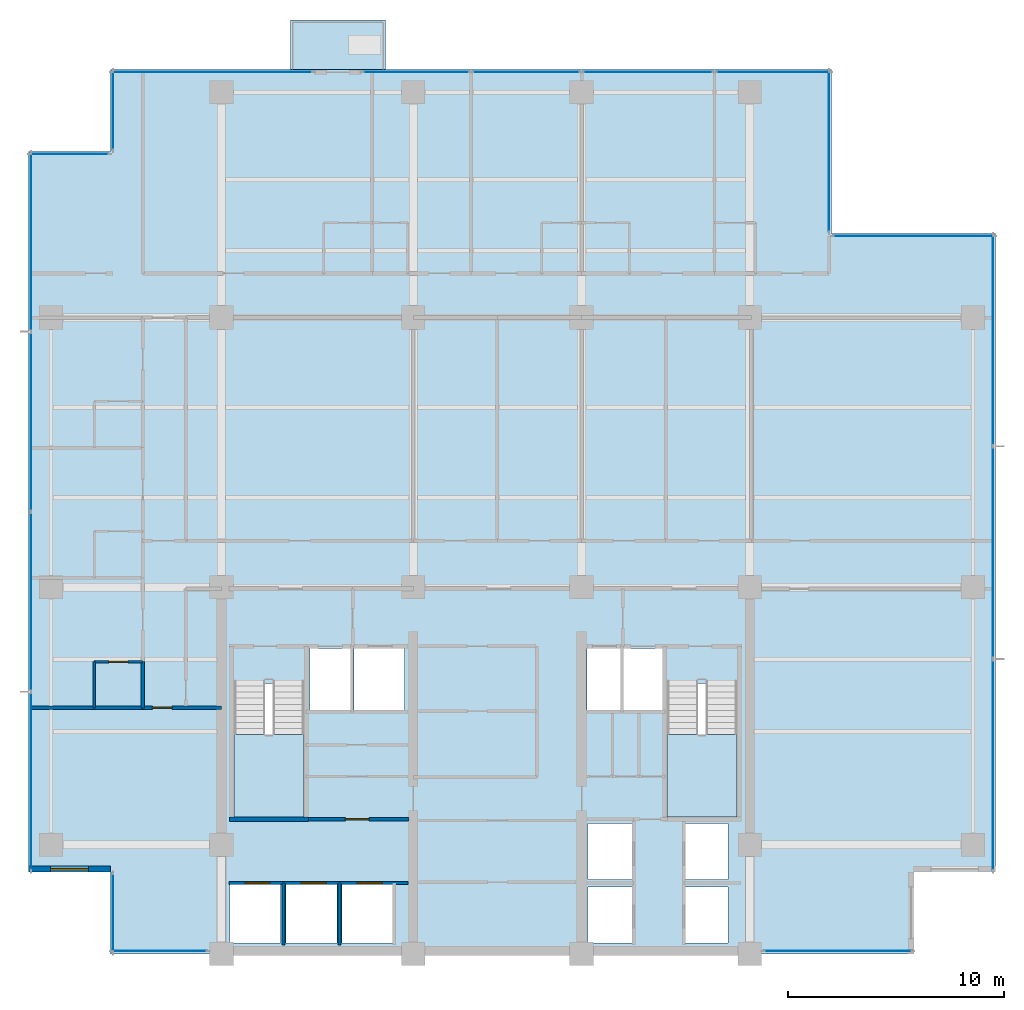
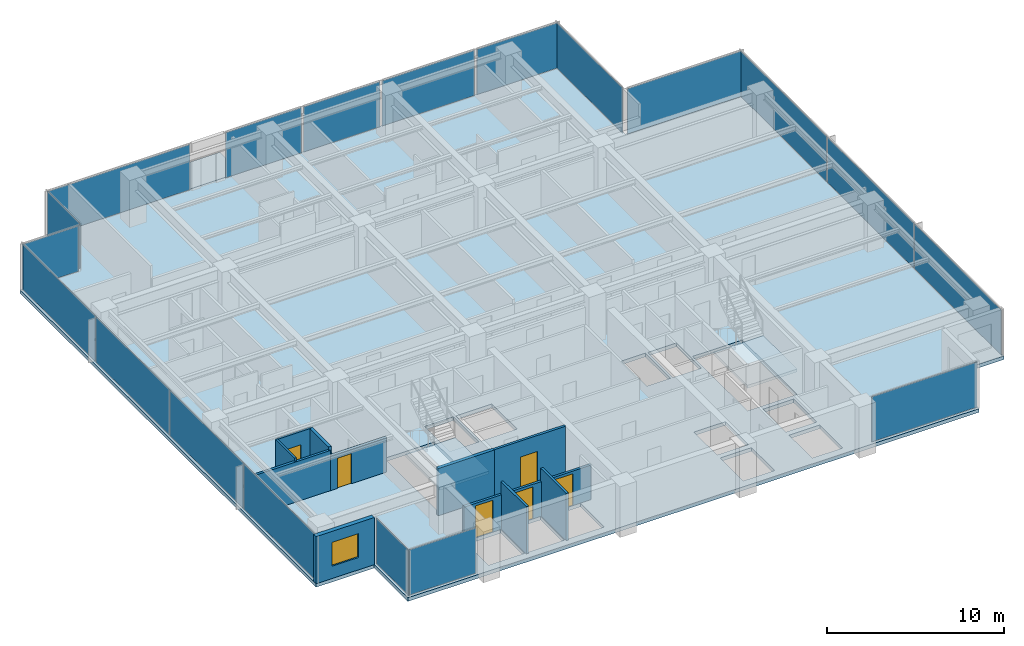
# One storey, part 6 of 14: 19 plates, 11 walls, 6 doors, 4 slabs, 1 window, 7 openings, 16 elements without a shape of their own.
"""IFC4 building model written with IfcOpenShell, lengths in metres."""

from ifc_helpers import new_model, si_unit, direction, frame, frame_2d, origin, origin_2d, place, context, subcontext, project, spatial, polyline, rectangle, outline, extrude, material, layer, layer_set, type_object, element, fill, aggregate, save


model = new_model("IFC4")

# Units and contexts
model_context = context("Model", 3, precision=1e-05, world=origin(), true_north=direction((0.0, 1.0)))
body_context = subcontext(model_context, "Body", "Model", "MODEL_VIEW")
ifc_project = project(units=[si_unit("LENGTHUNIT", "METRE"), si_unit("AREAUNIT", "SQUARE_METRE"), si_unit("VOLUMEUNIT", "CUBIC_METRE"), si_unit("PLANEANGLEUNIT", "RADIAN"), si_unit("MASSUNIT", "GRAM", prefix="KILO")], contexts=[model_context])

# Site, building, storey
site_placement = place(None, origin())
site = spatial("IfcSite", under=ifc_project, at=site_placement, CompositionType="ELEMENT")
building_placement = place(site_placement, origin())
building = spatial("IfcBuilding", under=site, at=building_placement, Name="Qalmaran Belvedere Hotel", CompositionType="ELEMENT")
storey_placement = place(building_placement, frame((0.0, 0.0, 152.60009765625)))
storey = spatial("IfcBuildingStorey", under=building, at=storey_placement, Name="L38", CompositionType="ELEMENT", Elevation=152.60009765625)

# Curtain wall, plate
ifc_material_1 = material(Name="Anodised Bronze Aluminium", Category="aluminium")
ifc_layer_1 = layer(ifc_material_1, 0.195068359375, Name="Anodised Bronze Aluminium")
ifc_layer_set_1 = layer_set([ifc_layer_1], Name="Anodised Bronze Aluminium")
curtain_wall_type = type_object("IfcCurtainWallType", Name="CW4-TOWER-HIGHMID", PredefinedType="NOTDEFINED", material=ifc_layer_set_1)
curtain_wall_1_placement = place(storey_placement, origin())
curtain_wall_1 = element("IfcCurtainWall", 1, at=curtain_wall_1_placement, inside=storey, type_object=curtain_wall_type, Name="L38 Curtain Wall CW4", PredefinedType="NOTDEFINED")
ifc_material_2 = material(Name="Solar-Control Double Glazing", Category="glass")
ifc_layer_2 = layer(ifc_material_2, 0.028076171875, Name="Solar-Control Double Glazing")
ifc_layer_set_2 = layer_set([ifc_layer_2], Name="Solar-Control Double Glazing")
plate_type = type_object("IfcPlateType", Name="CWP-VISION-28", PredefinedType="CURTAIN_PANEL", material=ifc_layer_set_2)
plate_1_placement = place(storey_placement, frame((17.429931640625, 3.6201171875, 0.06494140625), z_axis=(0.0, 0.0, 1.0), x_axis=(1.0, 0.0, 0.0)))
plate_1 = element("IfcPlate", 2, at=plate_1_placement, type_object=plate_type, Name="CW4 panel 1.1", PredefinedType="CURTAIN_PANEL", context=body_context, shape_type="SweptSolid", body=[
    extrude(rectangle(XDim=4.419921875, YDim=0.028076171875, at=origin_2d()), origin(), (0.0, 0.0, 1.0), 3.1201171875),
])
aggregate(curtain_wall_1, [plate_1])

curtain_wall_2_placement = place(storey_placement, origin())
curtain_wall_2 = element("IfcCurtainWall", 3, at=curtain_wall_2_placement, inside=storey, type_object=curtain_wall_type, Name="L38 Curtain Wall CW4", PredefinedType="NOTDEFINED")
plate_2_placement = place(storey_placement, frame((48.89501953125, 3.6201171875, 0.06494140625), z_axis=(0.0, 0.0, 1.0), x_axis=(1.0, 0.0, 0.0)))
plate_2 = element("IfcPlate", 4, at=plate_2_placement, type_object=plate_type, Name="CW4 panel 1.1", PredefinedType="CURTAIN_PANEL", context=body_context, shape_type="SweptSolid", body=[
    extrude(rectangle(XDim=6.8701171875, YDim=0.028076171875, at=origin_2d()), origin(), (0.0, 0.0, 1.0), 3.1201171875),
])
aggregate(curtain_wall_2, [plate_2])

# Curtain wall, plates
curtain_wall_3_placement = place(storey_placement, origin())
curtain_wall_3 = element("IfcCurtainWall", 5, at=curtain_wall_3_placement, inside=storey, type_object=curtain_wall_type, Name="L38 Curtain Wall CW4", PredefinedType="NOTDEFINED")
plate_3_placement = place(storey_placement, frame((56.080078125, 12.250732421875, 0.06494140625), z_axis=(0.0, 0.0, 1.0), x_axis=(0.0, 1.0, 0.0)))
plate_3 = element("IfcPlate", 6, at=plate_3_placement, type_object=plate_type, Name="CW4 panel 1.1", PredefinedType="CURTAIN_PANEL", context=body_context, shape_type="SweptSolid", body=[
    extrude(rectangle(XDim=9.76171875, YDim=0.028076171875, at=origin_2d()), origin(), (0.0, 0.0, 1.0), 3.1201171875),
])
plate_4_placement = place(storey_placement, frame((56.080078125, 22.10009765625, 0.06494140625), z_axis=(0.0, 0.0, 1.0), x_axis=(0.0, 1.0, 0.0)))
plate_4 = element("IfcPlate", 7, at=plate_4_placement, type_object=plate_type, Name="CW4 panel 2.1", PredefinedType="CURTAIN_PANEL", context=body_context, shape_type="SweptSolid", body=[
    extrude(rectangle(XDim=9.796630859375, YDim=0.028076171875, at=origin_2d()), origin(), (0.0, 0.0, 1.0), 3.1201171875),
])
plate_5_placement = place(storey_placement, frame((56.080078125, 31.94921875, 0.06494140625), z_axis=(0.0, 0.0, 1.0), x_axis=(0.0, 1.0, 0.0)))
plate_5 = element("IfcPlate", 8, at=plate_5_placement, type_object=plate_type, Name="CW4 panel 3.1", PredefinedType="CURTAIN_PANEL", context=body_context, shape_type="SweptSolid", body=[
    extrude(rectangle(XDim=9.76171875, YDim=0.028076171875, at=origin_2d()), origin(), (0.0, 0.0, 1.0), 3.1201171875),
])
aggregate(curtain_wall_3, [plate_3, plate_4, plate_5])

# Curtain wall, plate
curtain_wall_4_placement = place(storey_placement, origin())
curtain_wall_4 = element("IfcCurtainWall", 9, at=curtain_wall_4_placement, inside=storey, type_object=curtain_wall_type, Name="L38 Curtain Wall CW4", PredefinedType="NOTDEFINED")
plate_6_placement = place(storey_placement, frame((52.39990234375, 36.780029296875, 0.06494140625), z_axis=(0.0, 0.0, 1.0), x_axis=(-1.0, 0.0, 0.0)))
plate_6 = element("IfcPlate", 10, at=plate_6_placement, type_object=plate_type, Name="CW4 panel 1.1", PredefinedType="CURTAIN_PANEL", context=body_context, shape_type="SweptSolid", body=[
    extrude(rectangle(XDim=7.4599609375, YDim=0.028076171875, at=origin_2d()), origin(), (0.0, 0.0, 1.0), 3.1201171875),
])
aggregate(curtain_wall_4, [plate_6])

curtain_wall_5_placement = place(storey_placement, origin())
curtain_wall_5 = element("IfcCurtainWall", 11, at=curtain_wall_5_placement, inside=storey, type_object=curtain_wall_type, Name="L38 Curtain Wall CW4", PredefinedType="NOTDEFINED")
plate_7_placement = place(storey_placement, frame((48.47998046875, 40.699951171875, 0.06494140625), z_axis=(0.0, 0.0, 1.0), x_axis=(0.0, 1.0, 0.0)))
plate_7 = element("IfcPlate", 12, at=plate_7_placement, type_object=plate_type, Name="CW4 panel 1.1", PredefinedType="CURTAIN_PANEL", context=body_context, shape_type="SweptSolid", body=[
    extrude(rectangle(XDim=7.4599609375, YDim=0.028076171875, at=origin_2d()), origin(), (0.0, 0.0, 1.0), 3.1201171875),
])
aggregate(curtain_wall_5, [plate_7])

curtain_wall_6_placement = place(storey_placement, origin())
curtain_wall_6 = element("IfcCurtainWall", 13, at=curtain_wall_6_placement, inside=storey, type_object=curtain_wall_type, Name="L38 Curtain Wall CW4", PredefinedType="NOTDEFINED")
plate_8_placement = place(storey_placement, frame((19.875, 44.3798828125, 0.06494140625), z_axis=(0.0, 0.0, 1.0), x_axis=(-1.0, 0.0, 0.0)))
plate_8 = element("IfcPlate", 14, at=plate_8_placement, type_object=plate_type, Name="CW4 panel 1.1", PredefinedType="CURTAIN_PANEL", context=body_context, shape_type="SweptSolid", body=[
    extrude(rectangle(XDim=9.31005859375, YDim=0.028076171875, at=origin_2d()), origin(), (0.0, 0.0, 1.0), 3.1201171875),
])
aggregate(curtain_wall_6, [plate_8])

curtain_wall_7_placement = place(storey_placement, origin())
curtain_wall_7 = element("IfcCurtainWall", 15, at=curtain_wall_7_placement, inside=storey, type_object=curtain_wall_type, Name="L38 Curtain Wall CW4", PredefinedType="NOTDEFINED")
plate_9_placement = place(storey_placement, frame((45.88330078125, 44.3798828125, 0.06494140625), z_axis=(0.0, 0.0, 1.0), x_axis=(-1.0, 0.0, 0.0)))
plate_9 = element("IfcPlate", 16, at=plate_9_placement, type_object=plate_type, Name="CW4 panel 1.1", PredefinedType="CURTAIN_PANEL", context=body_context, shape_type="SweptSolid", body=[
    extrude(rectangle(XDim=5.293701171875, YDim=0.028076171875, at=origin_2d()), origin(), (0.0, 0.0, 1.0), 3.1201171875),
])
aggregate(curtain_wall_7, [plate_9])

curtain_wall_8_placement = place(storey_placement, origin())
curtain_wall_8 = element("IfcCurtainWall", 17, at=curtain_wall_8_placement, inside=storey, type_object=curtain_wall_type, Name="L38 Curtain Wall CW4", PredefinedType="NOTDEFINED")
plate_10_placement = place(storey_placement, frame((40.083251953125, 44.3798828125, 0.06494140625), z_axis=(0.0, 0.0, 1.0), x_axis=(-1.0, 0.0, 0.0)))
plate_10 = element("IfcPlate", 18, at=plate_10_placement, type_object=plate_type, Name="CW4 panel 1.1", PredefinedType="CURTAIN_PANEL", context=body_context, shape_type="SweptSolid", body=[
    extrude(rectangle(XDim=6.0263671875, YDim=0.028076171875, at=origin_2d()), origin(), (0.0, 0.0, 1.0), 3.1201171875),
])
aggregate(curtain_wall_8, [plate_10])

curtain_wall_9_placement = place(storey_placement, origin())
curtain_wall_9 = element("IfcCurtainWall", 19, at=curtain_wall_9_placement, inside=storey, type_object=curtain_wall_type, Name="L38 Curtain Wall CW4", PredefinedType="NOTDEFINED")
plate_11_placement = place(storey_placement, frame((34.4375, 44.3798828125, 0.06494140625), z_axis=(0.0, 0.0, 1.0), x_axis=(-1.0, 0.0, 0.0)))
plate_11 = element("IfcPlate", 20, at=plate_11_placement, type_object=plate_type, Name="CW4 panel 1.1", PredefinedType="CURTAIN_PANEL", context=body_context, shape_type="SweptSolid", body=[
    extrude(rectangle(XDim=4.985107421875, YDim=0.028076171875, at=origin_2d()), origin(), (0.0, 0.0, 1.0), 3.1201171875),
])
aggregate(curtain_wall_9, [plate_11])

curtain_wall_10_placement = place(storey_placement, origin())
curtain_wall_10 = element("IfcCurtainWall", 21, at=curtain_wall_10_placement, inside=storey, type_object=curtain_wall_type, Name="L38 Curtain Wall CW4", PredefinedType="NOTDEFINED")
plate_12_placement = place(storey_placement, frame((29.33740234375, 44.3798828125, 0.06494140625), z_axis=(0.0, 0.0, 1.0), x_axis=(-1.0, 0.0, 0.0)))
plate_12 = element("IfcPlate", 22, at=plate_12_placement, type_object=plate_type, Name="CW4 panel 1.1", PredefinedType="CURTAIN_PANEL", context=body_context, shape_type="SweptSolid", body=[
    extrude(rectangle(XDim=4.93505859375, YDim=0.028076171875, at=origin_2d()), origin(), (0.0, 0.0, 1.0), 3.1201171875),
])
aggregate(curtain_wall_10, [plate_12])

curtain_wall_11_placement = place(storey_placement, origin())
curtain_wall_11 = element("IfcCurtainWall", 23, at=curtain_wall_11_placement, inside=storey, type_object=curtain_wall_type, Name="L38 Curtain Wall CW4", PredefinedType="NOTDEFINED")
plate_13_placement = place(storey_placement, frame((15.27001953125, 42.60009765625, 0.06494140625), z_axis=(0.0, 0.0, 1.0), x_axis=(0.0, -1.0, 0.0)))
plate_13 = element("IfcPlate", 24, at=plate_13_placement, type_object=plate_type, Name="CW4 panel 1.1", PredefinedType="CURTAIN_PANEL", context=body_context, shape_type="SweptSolid", body=[
    extrude(rectangle(XDim=3.659912109375, YDim=0.028076171875, at=origin_2d()), origin(), (0.0, 0.0, 1.0), 3.1201171875),
])
aggregate(curtain_wall_11, [plate_13])

curtain_wall_12_placement = place(storey_placement, origin())
curtain_wall_12 = element("IfcCurtainWall", 25, at=curtain_wall_12_placement, inside=storey, type_object=curtain_wall_type, Name="L38 Curtain Wall CW4", PredefinedType="NOTDEFINED")
plate_14_placement = place(storey_placement, frame((13.25, 40.580078125, 0.06494140625), z_axis=(0.0, 0.0, 1.0), x_axis=(-1.0, 0.0, 0.0)))
plate_14 = element("IfcPlate", 26, at=plate_14_placement, type_object=plate_type, Name="CW4 panel 1.1", PredefinedType="CURTAIN_PANEL", context=body_context, shape_type="SweptSolid", body=[
    extrude(rectangle(XDim=3.659912109375, YDim=0.028076171875, at=origin_2d()), origin(), (0.0, 0.0, 1.0), 3.1201171875),
])
aggregate(curtain_wall_12, [plate_14])

# Curtain wall, plates
curtain_wall_13_placement = place(storey_placement, origin())
curtain_wall_13 = element("IfcCurtainWall", 27, at=curtain_wall_13_placement, inside=storey, type_object=curtain_wall_type, Name="L38 Curtain Wall CW4", PredefinedType="NOTDEFINED")
plate_15_placement = place(storey_placement, frame((11.469970703125, 36.507568359375, 0.06494140625), z_axis=(0.0, 0.0, 1.0), x_axis=(0.0, -1.0, 0.0)))
plate_15 = element("IfcPlate", 28, at=plate_15_placement, type_object=plate_type, Name="CW4 panel 1.1", PredefinedType="CURTAIN_PANEL", context=body_context, shape_type="SweptSolid", body=[
    extrude(rectangle(XDim=8.2451171875, YDim=0.028076171875, at=origin_2d()), origin(), (0.0, 0.0, 1.0), 3.1201171875),
])
plate_16_placement = place(storey_placement, frame((11.469970703125, 28.175048828125, 0.06494140625), z_axis=(0.0, 0.0, 1.0), x_axis=(0.0, -1.0, 0.0)))
plate_16 = element("IfcPlate", 29, at=plate_16_placement, type_object=plate_type, Name="CW4 panel 2.1", PredefinedType="CURTAIN_PANEL", context=body_context, shape_type="SweptSolid", body=[
    extrude(rectangle(XDim=8.280029296875, YDim=0.028076171875, at=origin_2d()), origin(), (0.0, 0.0, 1.0), 3.1201171875),
])
plate_17_placement = place(storey_placement, frame((11.469970703125, 19.824951171875, 0.06494140625), z_axis=(0.0, 0.0, 1.0), x_axis=(0.0, -1.0, 0.0)))
plate_17 = element("IfcPlate", 30, at=plate_17_placement, type_object=plate_type, Name="CW4 panel 3.1", PredefinedType="CURTAIN_PANEL", context=body_context, shape_type="SweptSolid", body=[
    extrude(rectangle(XDim=8.280029296875, YDim=0.028076171875, at=origin_2d()), origin(), (0.0, 0.0, 1.0), 3.1201171875),
])
plate_18_placement = place(storey_placement, frame((11.469970703125, 11.492431640625, 0.06494140625), z_axis=(0.0, 0.0, 1.0), x_axis=(0.0, -1.0, 0.0)))
plate_18 = element("IfcPlate", 31, at=plate_18_placement, type_object=plate_type, Name="CW4 panel 4.1", PredefinedType="CURTAIN_PANEL", context=body_context, shape_type="SweptSolid", body=[
    extrude(rectangle(XDim=8.2451171875, YDim=0.028076171875, at=origin_2d()), origin(), (0.0, 0.0, 1.0), 3.1201171875),
])
aggregate(curtain_wall_13, [plate_15, plate_16, plate_17, plate_18])

# Curtain wall, plate
curtain_wall_14_placement = place(storey_placement, origin())
curtain_wall_14 = element("IfcCurtainWall", 32, at=curtain_wall_14_placement, inside=storey, type_object=curtain_wall_type, Name="L38 Curtain Wall CW4", PredefinedType="NOTDEFINED")
plate_19_placement = place(storey_placement, frame((15.27001953125, 5.39990234375, 0.06494140625), z_axis=(0.0, 0.0, 1.0), x_axis=(0.0, -1.0, 0.0)))
plate_19 = element("IfcPlate", 33, at=plate_19_placement, type_object=plate_type, Name="CW4 panel 1.1", PredefinedType="CURTAIN_PANEL", context=body_context, shape_type="SweptSolid", body=[
    extrude(rectangle(XDim=3.659912109375, YDim=0.028076171875, at=origin_2d()), origin(), (0.0, 0.0, 1.0), 3.1201171875),
])
aggregate(curtain_wall_14, [plate_19])

# Slab
ifc_material_3 = material(Name="Concrete C40/50", Category="concrete")
ifc_layer_3 = layer(ifc_material_3, 0.219970703125, Name="Concrete C40/50")
ifc_layer_set_3 = layer_set([ifc_layer_3], Name="Concrete C40/50")
slab_type_1 = type_object("IfcSlabType", Name="SLB-BAL-220", PredefinedType="USERDEFINED", material=ifc_layer_set_3)
slab_1_placement = place(storey_placement, frame((0.0, 0.0, -0.22021484375)))
element("IfcSlab", 34, at=slab_1_placement, inside=storey, type_object=slab_type_1, Name="L38 Planted Tree Balcony Slab 1", ObjectType="BALCONY", PredefinedType="USERDEFINED", context=body_context, shape_type="SweptSolid", body=[
    extrude(outline(polyline([(23.5, 44.5), (27.89990234375, 44.5), (27.89990234375, 46.800048828125), (23.5, 46.800048828125), (23.5, 44.5)])), origin(), (0.0, 0.0, 1.0), 0.22021484375),
])

# Stair, slab
stair_type_1 = type_object("IfcStairType", Name="STR-ST-1-1450-R1750", PredefinedType="HALF_TURN_STAIR", material=ifc_material_3)
stair_1_placement = place(storey_placement, origin())
stair_1 = element("IfcStair", 35, at=stair_1_placement, inside=storey, type_object=stair_type_1, Name="L38 West Core Exit Stair ST-1", PredefinedType="HALF_TURN_STAIR")
ifc_layer_4 = layer(ifc_material_3, 0.199951171875, Name="Concrete C40/50")
ifc_layer_set_4 = layer_set([ifc_layer_4], Name="Concrete C40/50")
slab_type_2 = type_object("IfcSlabType", Name="SLB-STAIR-LANDING-200", PredefinedType="LANDING", material=ifc_layer_set_4)
slab_2_placement = place(storey_placement, frame((0.0, 0.0, 1.5498046875)))
slab_2 = element("IfcSlab", 36, at=slab_2_placement, type_object=slab_type_2, Name="ST-1 landing 1", PredefinedType="LANDING", context=body_context, shape_type="SweptSolid", body=[
    extrude(outline(polyline([(20.8798828125, 13.669921875), (20.8798828125, 9.85009765625), (24.1201171875, 9.85009765625), (24.1201171875, 13.669921875), (20.8798828125, 13.669921875)])), origin(), (0.0, 0.0, 1.0), 0.2001953125),
])
aggregate(stair_1, [slab_2])

stair_type_2 = type_object("IfcStairType", Name="STR-ST-2-1450-R1750", PredefinedType="HALF_TURN_STAIR", material=ifc_material_3)
stair_2_placement = place(storey_placement, origin())
stair_2 = element("IfcStair", 37, at=stair_2_placement, inside=storey, type_object=stair_type_2, Name="L38 East Core Exit Stair ST-2", PredefinedType="HALF_TURN_STAIR")
slab_3_placement = place(storey_placement, frame((0.0, 0.0, 1.5498046875)))
slab_3 = element("IfcSlab", 38, at=slab_3_placement, type_object=slab_type_2, Name="ST-2 landing 1", PredefinedType="LANDING", context=body_context, shape_type="SweptSolid", body=[
    extrude(outline(polyline([(40.9599609375, 13.669921875), (40.9599609375, 9.85009765625), (44.199951171875, 9.85009765625), (44.199951171875, 13.669921875), (40.9599609375, 13.669921875)])), origin(), (0.0, 0.0, 1.0), 0.2001953125),
])
aggregate(stair_2, [slab_3])

# Slab
ifc_layer_5 = layer(ifc_material_3, 0.25, Name="Concrete C40/50")
ifc_layer_set_5 = layer_set([ifc_layer_5], Name="Concrete C40/50")
slab_type_3 = type_object("IfcSlabType", Name="SLB-Z3-250", PredefinedType="FLOOR", material=ifc_layer_set_5)
slab_4_placement = place(storey_placement, frame((0.0, 0.0, -0.25)))
element("IfcSlab", 39, at=slab_4_placement, inside=storey, type_object=slab_type_3, Name="L38 Structural Floor Slab", PredefinedType="FLOOR", context=body_context, shape_type="SweptSolid", body=[
    extrude(outline(polyline([(15.14990234375, 3.5), (52.39990234375, 3.5), (52.39990234375, 7.300048828125), (56.199951171875, 7.300048828125), (56.199951171875, 36.89990234375), (48.60009765625, 36.89990234375), (48.60009765625, 44.5), (15.14990234375, 44.5), (15.14990234375, 40.699951171875), (11.35009765625, 40.699951171875), (11.35009765625, 7.300048828125), (15.14990234375, 7.300048828125), (15.14990234375, 3.5)]), holes=[polyline([(20.8798828125, 9.85009765625), (24.1201171875, 9.85009765625), (24.1201171875, 16.0400390625), (20.8798828125, 16.0400390625), (20.8798828125, 9.85009765625)]), polyline([(40.9599609375, 9.85009765625), (44.199951171875, 9.85009765625), (44.199951171875, 16.0400390625), (40.9599609375, 16.0400390625), (40.9599609375, 9.85009765625)]), polyline([(37.300048828125, 4.0), (39.35009765625, 4.0), (39.35009765625, 6.60009765625), (37.300048828125, 6.60009765625), (37.300048828125, 4.0)]), polyline([(37.300048828125, 6.949951171875), (39.35009765625, 6.949951171875), (39.35009765625, 9.550048828125), (37.300048828125, 9.550048828125), (37.300048828125, 6.949951171875)]), polyline([(41.800048828125, 4.0), (43.800048828125, 4.0), (43.800048828125, 6.60009765625), (41.800048828125, 6.60009765625), (41.800048828125, 4.0)]), polyline([(41.800048828125, 6.949951171875), (43.800048828125, 6.949951171875), (43.800048828125, 9.550048828125), (41.800048828125, 9.550048828125), (41.800048828125, 6.949951171875)]), polyline([(20.699951171875, 4.0), (23.050048828125, 4.0), (23.050048828125, 6.699951171875), (20.699951171875, 6.699951171875), (20.699951171875, 4.0)]), polyline([(23.300048828125, 4.0), (25.64990234375, 4.0), (25.64990234375, 6.699951171875), (23.300048828125, 6.699951171875), (23.300048828125, 4.0)]), polyline([(25.89990234375, 4.0), (28.25, 4.0), (28.25, 6.699951171875), (25.89990234375, 6.699951171875), (25.89990234375, 4.0)]), polyline([(24.39990234375, 14.800048828125), (26.300048828125, 14.800048828125), (26.300048828125, 17.64990234375), (24.39990234375, 17.64990234375), (24.39990234375, 14.800048828125)]), polyline([(38.949951171875, 14.800048828125), (40.820068359375, 14.800048828125), (40.820068359375, 17.64990234375), (38.949951171875, 17.64990234375), (38.949951171875, 14.800048828125)]), polyline([(26.449951171875, 14.800048828125), (28.800048828125, 14.800048828125), (28.800048828125, 17.64990234375), (26.449951171875, 17.64990234375), (26.449951171875, 14.800048828125)]), polyline([(37.25, 14.800048828125), (38.800048828125, 14.800048828125), (38.800048828125, 17.64990234375), (37.25, 17.64990234375), (37.25, 14.800048828125)])]), origin(), (0.0, 0.0, 1.0), 0.25),
])

# Wall, opening, window
ifc_material_4 = material(Name="Anodised Bronze Cladding")
ifc_layer_6 = layer(ifc_material_4, 0.280029296875, Name="Anodised Bronze Cladding")
ifc_layer_set_6 = layer_set([ifc_layer_6], Name="Anodised Bronze Cladding")
wall_type_1 = type_object("IfcWallType", Name="WL-EXT-BRNZ-280", PredefinedType="SOLIDWALL", material=ifc_layer_set_6)
wall_1_placement = place(storey_placement, frame((11.35009765625, 7.419921875, 0.0), z_axis=(0.0, 0.0, 1.0), x_axis=(1.0, 0.0, 0.0)))
wall_1 = element("IfcWall", 40, at=wall_1_placement, inside=storey, type_object=wall_type_1, Name="L38 Corner Notch Wall 10", PredefinedType="SOLIDWALL", context=body_context, shape_type="SweptSolid", body=[
    extrude(rectangle(XDim=3.7998046875, YDim=0.280029296875, at=frame_2d((1.89990234375, 0.0))), origin(), (0.0, 0.0, 1.0), 3.25),
])
opening_1_placement = place(wall_1_placement, frame((1.02490234375, 0.0, 0.85009765625)))
opening_1 = element("IfcOpeningElement", 41, at=opening_1_placement, cuts=wall_1, Name="Opening W-N17", PredefinedType="OPENING", context=body_context, shape_type="SweptSolid", body=[
    extrude(rectangle(XDim=1.75, YDim=1.64990234375, at=frame_2d((0.875, 0.824951171875))), frame((0.0, 0.14990234375, 0.0), z_axis=(0.0, -1.0, 0.0), x_axis=(1.0, 0.0, 0.0)), (0.0, 0.0, 1.0), 0.300048828125),
])
window_type = type_object("IfcWindowType", Name="WN-NTC-1750X1650", PartitioningType="SINGLE_PANEL", PredefinedType="WINDOW", material=ifc_material_2)
window_placement = place(opening_1_placement, origin())
window = element("IfcWindow", 42, at=window_placement, inside=storey, type_object=window_type, Name="L38 Corner Notch Window 10", OverallHeight=1.64990234375, OverallWidth=1.75, PartitioningType="SINGLE_PANEL", PredefinedType="WINDOW", context=body_context, shape_type="SweptSolid", body=[
    extrude(rectangle(XDim=1.75, YDim=1.64990234375, at=frame_2d((0.875, 0.824951171875))), frame((0.0, 0.030029296875, 0.0), z_axis=(0.0, -1.0, 0.0), x_axis=(1.0, 0.0, 0.0)), (0.0, 0.0, 1.0), 0.06005859375),
])
fill(opening_1, window)

# Wall, opening, door
ifc_material_5 = material(Name="Moisture-Resistant Gypsum")
ifc_layer_7 = layer(ifc_material_5, 0.1201171875, Name="Moisture-Resistant Gypsum")
ifc_layer_set_7 = layer_set([ifc_layer_7], Name="Moisture-Resistant Gypsum")
wall_type_2 = type_object("IfcWallType", Name="WL-INT-120-BATH", PredefinedType="PARTITIONING", material=ifc_layer_set_7)
wall_2_placement = place(storey_placement, frame((14.39990234375, 17.050048828125, 0.0), z_axis=(0.0, 0.0, 1.0), x_axis=(1.0, 0.0, 0.0)))
wall_2 = element("IfcWall", 43, at=wall_2_placement, inside=storey, type_object=wall_type_2, Name="L38 Partition WL-L38-WBN00", PredefinedType="PARTITIONING", context=body_context, shape_type="SweptSolid", body=[
    extrude(rectangle(XDim=2.25, YDim=0.1201171875, at=frame_2d((1.125, 0.0))), origin(), (0.0, 0.0, 1.0), 2.98779296875),
])
opening_2_placement = place(wall_2_placement, frame((1.56494140625, 0.0, 0.0), z_axis=(0.0, 0.0, 1.0), x_axis=(-1.0, 0.0, 0.0)))
opening_2 = element("IfcOpeningElement", 44, at=opening_2_placement, cuts=wall_2, Name="Opening D-BATH", PredefinedType="OPENING", context=body_context, shape_type="SweptSolid", body=[
    extrude(rectangle(XDim=0.8798828125, YDim=2.080078125, at=frame_2d((0.43994140625, 1.0400390625))), frame((0.0, 0.070068359375, 0.0), z_axis=(0.0, -1.0, 0.0), x_axis=(1.0, 0.0, 0.0)), (0.0, 0.0, 1.0), 0.14013671875),
])
ifc_material_6 = material(Name="Engineered Oak Veneer")
door_type_1 = type_object("IfcDoorType", Name="DR-INT-BATH-880X2080", OperationType="NOTDEFINED", PredefinedType="DOOR", material=ifc_material_6)
door_1_placement = place(opening_2_placement, origin())
door_1 = element("IfcDoor", 45, at=door_1_placement, inside=storey, type_object=door_type_1, Name="L38 W Ensuite Door 01", OperationType="SINGLE_SWING_RIGHT", OverallHeight=2.080078125, OverallWidth=0.8798828125, PredefinedType="DOOR", context=body_context, shape_type="SweptSolid", body=[
    extrude(rectangle(XDim=0.8798828125, YDim=2.080078125, at=frame_2d((0.43994140625, 1.0400390625))), frame((0.0, 0.02490234375, 0.0), z_axis=(0.0, -1.0, 0.0), x_axis=(1.0, 0.0, 0.0)), (0.0, 0.0, 1.0), 0.050048828125),
])
fill(opening_2, door_1)

# Walls
wall_3_placement = place(storey_placement, frame((14.39990234375, 14.89990234375, 0.0), z_axis=(0.0, 0.0, 1.0), x_axis=(0.0, 1.0, 0.0)))
element("IfcWall", 46, at=wall_3_placement, inside=storey, type_object=wall_type_2, Name="L38 Partition WL-L38-WBS00", PredefinedType="PARTITIONING", context=body_context, shape_type="SweptSolid", body=[
    extrude(rectangle(XDim=2.150146484375, YDim=0.1201171875, at=frame_2d((1.0751953125, 0.0))), origin(), (0.0, 0.0, 1.0), 2.98779296875),
])
ifc_material_7 = material(Name="Gypsum Stud Partition")
ifc_layer_8 = layer(ifc_material_7, 0.14990234375, Name="Gypsum Stud Partition")
ifc_layer_set_8 = layer_set([ifc_layer_8], Name="Gypsum Stud Partition")
wall_type_3 = type_object("IfcWallType", Name="WL-INT-150-EI120", PredefinedType="PARTITIONING", material=ifc_layer_set_8)
for number, where, z_axis, x_axis, name in (
    (47, (23.179931640625, 3.89990234375, 0.0), (0.0, 0.0, 1.0), (0.0, 1.0, 0.0), "L38 Partition WL-POM1-L38"),
    (48, (25.780029296875, 3.89990234375, 0.0), (0.0, 0.0, 1.0), (0.0, 1.0, 0.0), "L38 Partition WL-POM2-L38"),
):
    element("IfcWall", number, at=place(storey_placement, frame(where, z_axis=z_axis, x_axis=x_axis)), inside=storey, type_object=wall_type_3, Name=name, PredefinedType="PARTITIONING", context=body_context, shape_type="SweptSolid", body=[
        extrude(rectangle(XDim=2.880126953125, YDim=0.14990234375, at=frame_2d((1.43994140625, 0.0))), origin(), (0.0, 0.0, 1.0), 3.25),
    ])

# Wall, openings, doors
ifc_layer_9 = layer(ifc_material_7, 0.159912109375, Name="Gypsum Stud Partition")
ifc_layer_set_9 = layer_set([ifc_layer_9], Name="Gypsum Stud Partition")
wall_type_4 = type_object("IfcWallType", Name="WL-INT-160-EI120", PredefinedType="PARTITIONING", material=ifc_layer_set_9)
wall_4_placement = place(storey_placement, frame((20.64990234375, 6.780029296875, 0.0), z_axis=(0.0, 0.0, 1.0), x_axis=(1.0, 0.0, 0.0)))
wall_4 = element("IfcWall", 49, at=wall_4_placement, inside=storey, type_object=wall_type_4, Name="L38 Partition WL-POS-L38", PredefinedType="PARTITIONING", context=body_context, shape_type="SweptSolid", body=[
    extrude(rectangle(XDim=8.300048828125, YDim=0.159912109375, at=frame_2d((4.14990234375, 0.0))), origin(), (0.0, 0.0, 1.0), 2.3798828125),
])
opening_3_placement = place(wall_4_placement, frame((0.75, 0.0, 0.0)))
opening_3 = element("IfcOpeningElement", 50, at=opening_3_placement, cuts=wall_4, Name="Opening LD-PO", PredefinedType="OPENING", context=body_context, shape_type="SweptSolid", body=[
    extrude(rectangle(XDim=1.14990234375, YDim=2.199951171875, at=frame_2d((0.574951171875, 1.10009765625))), frame((0.0, 0.08984375, 0.0), z_axis=(0.0, -1.0, 0.0), x_axis=(1.0, 0.0, 0.0)), (0.0, 0.0, 1.0), 0.179931640625),
])
opening_4_placement = place(wall_4_placement, frame((3.35009765625, 0.0, 0.0)))
opening_4 = element("IfcOpeningElement", 51, at=opening_4_placement, cuts=wall_4, Name="Opening LD-PO", PredefinedType="OPENING", context=body_context, shape_type="SweptSolid", body=[
    extrude(rectangle(XDim=1.14990234375, YDim=2.199951171875, at=frame_2d((0.574951171875, 1.10009765625))), frame((0.0, 0.08984375, 0.0), z_axis=(0.0, -1.0, 0.0), x_axis=(1.0, 0.0, 0.0)), (0.0, 0.0, 1.0), 0.179931640625),
])
opening_5_placement = place(wall_4_placement, frame((5.949951171875, 0.0, 0.0)))
opening_5 = element("IfcOpeningElement", 52, at=opening_5_placement, cuts=wall_4, Name="Opening LD-PO", PredefinedType="OPENING", context=body_context, shape_type="SweptSolid", body=[
    extrude(rectangle(XDim=1.14990234375, YDim=2.199951171875, at=frame_2d((0.574951171875, 1.10009765625))), frame((0.0, 0.08984375, 0.0), z_axis=(0.0, -1.0, 0.0), x_axis=(1.0, 0.0, 0.0)), (0.0, 0.0, 1.0), 0.179931640625),
])
door_type_2 = type_object("IfcDoorType", Name="DR-LIFT-PO-1150X2200", OperationType="DOUBLE_DOOR_SLIDING", PredefinedType="DOOR", material=ifc_material_1)
door_2_placement = place(opening_3_placement, origin())
door_2 = element("IfcDoor", 53, at=door_2_placement, inside=storey, type_object=door_type_2, Name="L38 PO1 Shuttle Landing Door", OperationType="DOUBLE_DOOR_SLIDING", OverallHeight=2.199951171875, OverallWidth=1.14990234375, PredefinedType="DOOR", context=body_context, shape_type="SweptSolid", body=[
    extrude(rectangle(XDim=1.14990234375, YDim=2.199951171875, at=frame_2d((0.574951171875, 1.10009765625))), frame((0.0, 0.02490234375, 0.0), z_axis=(0.0, -1.0, 0.0), x_axis=(1.0, 0.0, 0.0)), (0.0, 0.0, 1.0), 0.050048828125),
])
fill(opening_3, door_2)
door_3_placement = place(opening_4_placement, origin())
door_3 = element("IfcDoor", 54, at=door_3_placement, inside=storey, type_object=door_type_2, Name="L38 PO2 Shuttle Landing Door", OperationType="DOUBLE_DOOR_SLIDING", OverallHeight=2.199951171875, OverallWidth=1.14990234375, PredefinedType="DOOR", context=body_context, shape_type="SweptSolid", body=[
    extrude(rectangle(XDim=1.14990234375, YDim=2.199951171875, at=frame_2d((0.574951171875, 1.10009765625))), frame((0.0, 0.02490234375, 0.0), z_axis=(0.0, -1.0, 0.0), x_axis=(1.0, 0.0, 0.0)), (0.0, 0.0, 1.0), 0.050048828125),
])
fill(opening_4, door_3)
door_4_placement = place(opening_5_placement, origin())
door_4 = element("IfcDoor", 55, at=door_4_placement, inside=storey, type_object=door_type_2, Name="L38 PO3 Shuttle Landing Door", OperationType="DOUBLE_DOOR_SLIDING", OverallHeight=2.199951171875, OverallWidth=1.14990234375, PredefinedType="DOOR", context=body_context, shape_type="SweptSolid", body=[
    extrude(rectangle(XDim=1.14990234375, YDim=2.199951171875, at=frame_2d((0.574951171875, 1.10009765625))), frame((0.0, 0.02490234375, 0.0), z_axis=(0.0, -1.0, 0.0), x_axis=(1.0, 0.0, 0.0)), (0.0, 0.0, 1.0), 0.050048828125),
])
fill(opening_5, door_4)

# Wall, opening, door
wall_5_placement = place(storey_placement, frame((24.199951171875, 9.739990234375, 0.0), z_axis=(0.0, 0.0, 1.0), x_axis=(1.0, 0.0, 0.0)))
wall_5 = element("IfcWall", 56, at=wall_5_placement, inside=storey, type_object=wall_type_4, Name="L38 Partition WL-PON-L38", PredefinedType="PARTITIONING", context=body_context, shape_type="SweptSolid", body=[
    extrude(rectangle(XDim=4.800048828125, YDim=0.159912109375, at=frame_2d((2.39990234375, 0.0))), origin(), (0.0, 0.0, 1.0), 3.25),
])
opening_6_placement = place(wall_5_placement, frame((1.85009765625, 0.0, 0.0)))
opening_6 = element("IfcOpeningElement", 57, at=opening_6_placement, cuts=wall_5, Name="Opening FD90", PredefinedType="OPENING", context=body_context, shape_type="SweptSolid", body=[
    extrude(rectangle(XDim=1.10009765625, YDim=2.14990234375, at=frame_2d((0.550048828125, 1.074951171875))), frame((0.0, 0.08984375, 0.0), z_axis=(0.0, -1.0, 0.0), x_axis=(1.0, 0.0, 0.0)), (0.0, 0.0, 1.0), 0.179931640625),
])
ifc_material_8 = material(Name="Steel S355JR", Category="steel")
door_type_3 = type_object("IfcDoorType", Name="DR-FD90-1100X2150", OperationType="NOTDEFINED", PredefinedType="DOOR", material=ifc_material_8)
door_5_placement = place(opening_6_placement, origin())
door_5 = element("IfcDoor", 58, at=door_5_placement, inside=storey, type_object=door_type_3, Name="L38 Shuttle Lobby Passage Door", OperationType="SINGLE_SWING_LEFT", OverallHeight=2.14990234375, OverallWidth=1.10009765625, PredefinedType="DOOR", context=body_context, shape_type="SweptSolid", body=[
    extrude(rectangle(XDim=1.10009765625, YDim=2.14990234375, at=frame_2d((0.550048828125, 1.074951171875))), frame((0.0, 0.02490234375, 0.0), z_axis=(0.0, -1.0, 0.0), x_axis=(1.0, 0.0, 0.0)), (0.0, 0.0, 1.0), 0.050048828125),
])
fill(opening_6, door_5)

ifc_layer_10 = layer(ifc_material_7, 0.159912109375, Name="Gypsum Stud Partition")
ifc_layer_set_10 = layer_set([ifc_layer_10], Name="Gypsum Stud Partition")
wall_type_5 = type_object("IfcWallType", Name="WL-INT-160-EI60", PredefinedType="PARTITIONING", material=ifc_layer_set_10)
wall_6_placement = place(storey_placement, frame((16.64990234375, 14.89990234375, 0.0), z_axis=(0.0, 0.0, 1.0), x_axis=(1.0, 0.0, 0.0)))
wall_6 = element("IfcWall", 59, at=wall_6_placement, inside=storey, type_object=wall_type_5, Name="L38 Partition WL-L38-SWRL", PredefinedType="PARTITIONING", context=body_context, shape_type="SweptSolid", body=[
    extrude(rectangle(XDim=3.650146484375, YDim=0.159912109375, at=frame_2d((1.8251953125, 0.0))), origin(), (0.0, 0.0, 1.0), 2.3798828125),
])
opening_7_placement = place(wall_6_placement, frame((1.369873046875, 0.0, 0.0), z_axis=(0.0, 0.0, 1.0), x_axis=(-1.0, 0.0, 0.0)))
opening_7 = element("IfcOpeningElement", 60, at=opening_7_placement, cuts=wall_6, Name="Opening FD60S1", PredefinedType="OPENING", context=body_context, shape_type="SweptSolid", body=[
    extrude(rectangle(XDim=0.919921875, YDim=2.080078125, at=frame_2d((0.4599609375, 1.0400390625))), frame((0.0, 0.08984375, 0.0), z_axis=(0.0, -1.0, 0.0), x_axis=(1.0, 0.0, 0.0)), (0.0, 0.0, 1.0), 0.179931640625),
])
door_type_4 = type_object("IfcDoorType", Name="DR-FD60S-920X2080", OperationType="NOTDEFINED", PredefinedType="DOOR", material=ifc_material_6)
door_6_placement = place(opening_7_placement, origin())
door_6 = element("IfcDoor", 61, at=door_6_placement, inside=storey, type_object=door_type_4, Name="L38 SW Study Door", OperationType="SINGLE_SWING_LEFT", OverallHeight=2.080078125, OverallWidth=0.919921875, PredefinedType="DOOR", context=body_context, shape_type="SweptSolid", body=[
    extrude(rectangle(XDim=0.919921875, YDim=2.080078125, at=frame_2d((0.4599609375, 1.0400390625))), frame((0.0, 0.02490234375, 0.0), z_axis=(0.0, -1.0, 0.0), x_axis=(1.0, 0.0, 0.0)), (0.0, 0.0, 1.0), 0.050048828125),
])
fill(opening_7, door_6)

# Walls
wall_7_placement = place(storey_placement, frame((11.469970703125, 14.89990234375, 0.0), z_axis=(0.0, 0.0, 1.0), x_axis=(1.0, 0.0, 0.0)))
element("IfcWall", 62, at=wall_7_placement, inside=storey, type_object=wall_type_5, Name="L38 Partition WL-L38-WBOT", PredefinedType="PARTITIONING", context=body_context, shape_type="SweptSolid", body=[
    extrude(rectangle(XDim=5.179931640625, YDim=0.159912109375, at=frame_2d((2.58984375, 0.0))), origin(), (0.0, 0.0, 1.0), 2.77197265625),
])
ifc_layer_11 = layer(ifc_material_7, 0.179931640625, Name="Gypsum Stud Partition")
ifc_layer_set_11 = layer_set([ifc_layer_11], Name="Gypsum Stud Partition")
wall_type_6 = type_object("IfcWallType", Name="WL-INT-180-EI60", PredefinedType="PARTITIONING", material=ifc_layer_set_11)
wall_8_placement = place(storey_placement, frame((16.64990234375, 14.89990234375, 0.0), z_axis=(0.0, 0.0, 1.0), x_axis=(0.0, 1.0, 0.0)))
element("IfcWall", 63, at=wall_8_placement, inside=storey, type_object=wall_type_6, Name="L38 Partition WL-L38-WBC00", PredefinedType="PARTITIONING", context=body_context, shape_type="SweptSolid", body=[
    extrude(rectangle(XDim=2.150146484375, YDim=0.179931640625, at=frame_2d((1.0751953125, 0.0))), origin(), (0.0, 0.0, 1.0), 2.98779296875),
])
ifc_material_9 = material(Name="Concrete C50/60", Category="concrete")
ifc_layer_12 = layer(ifc_material_9, 0.2099609375, Name="Concrete C50/60")
ifc_layer_set_12 = layer_set([ifc_layer_12], Name="Concrete C50/60")
wall_type_7 = type_object("IfcWallType", Name="WL-STAIR-210-C50", PredefinedType="SHEAR", material=ifc_layer_set_12)
wall_9_placement = place(storey_placement, frame((20.669921875, 9.7451171875, 0.0), z_axis=(0.0, 0.0, 1.0), x_axis=(1.0, 0.0, 0.0)))
element("IfcWall", 64, at=wall_9_placement, inside=storey, type_object=wall_type_7, Name="L38 Stair ST-1 South Bearing Wall", PredefinedType="SHEAR", context=body_context, shape_type="SweptSolid", body=[
    extrude(rectangle(XDim=3.66015625, YDim=0.2099609375, at=frame_2d((1.830078125, 0.0))), origin(), (0.0, 0.0, 1.0), 3.25),
])

save(model, "model.ifc")
